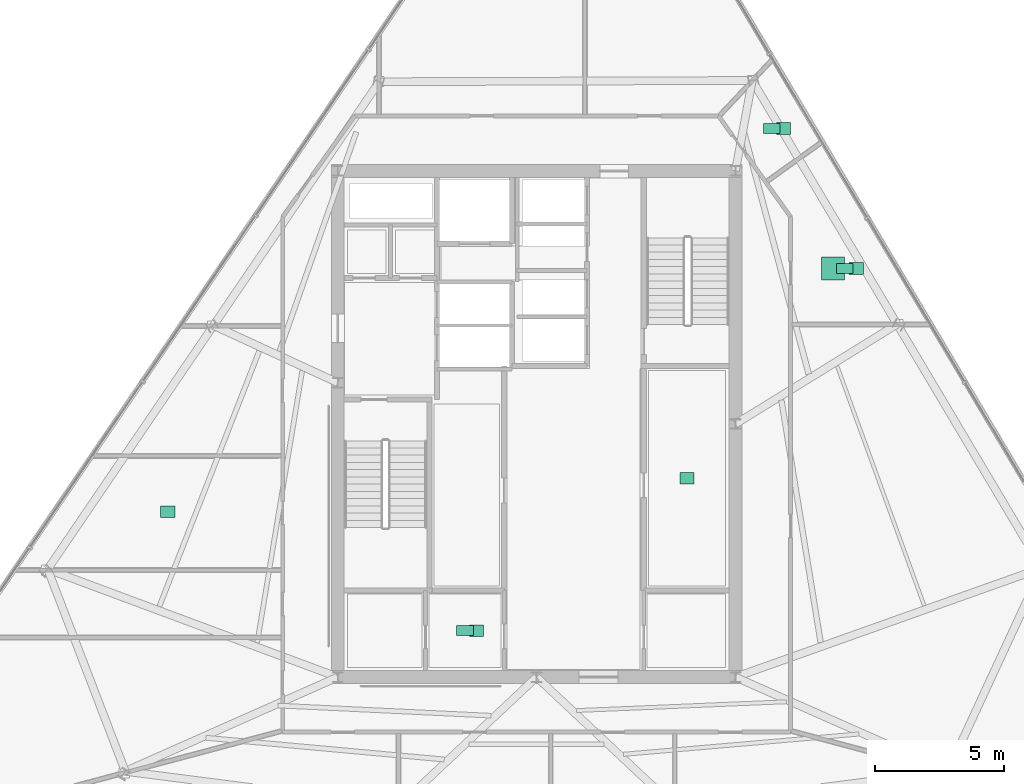
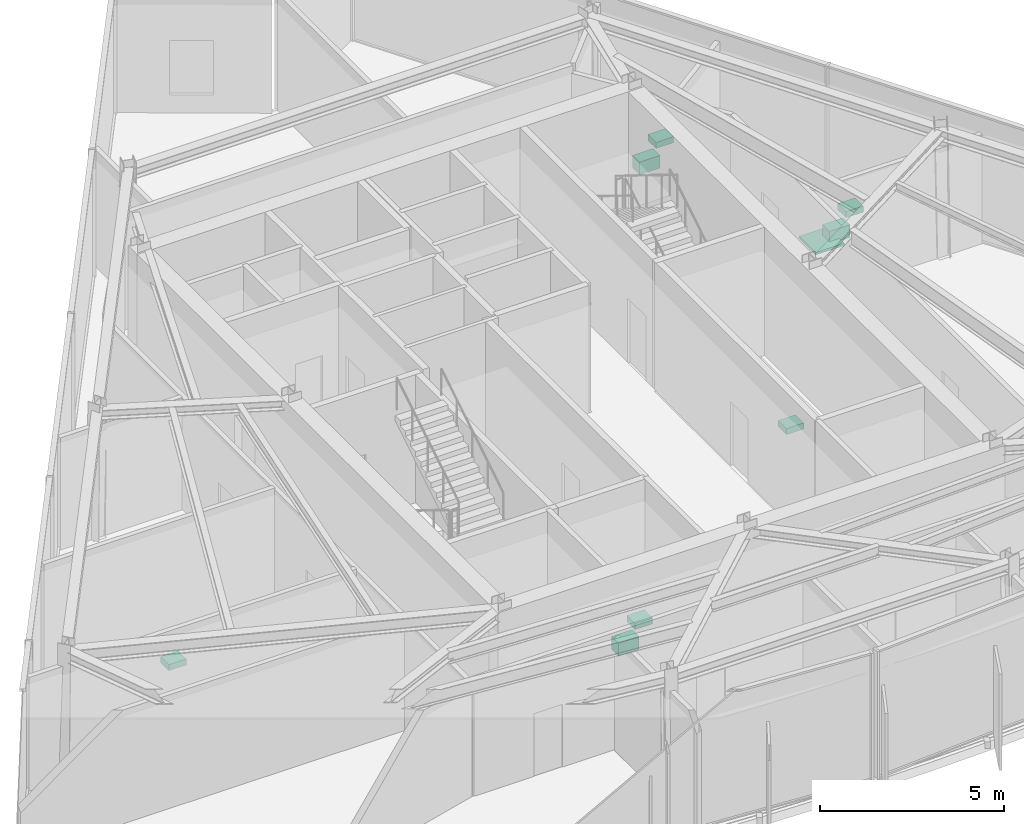
# One storey, part 12 of 12: 9 sanitary terminals.
"""IFC4 building model written with IfcOpenShell, lengths in metres."""

from ifc_helpers import new_model, si_unit, direction, frame, origin, origin_2d, place, context, subcontext, project, spatial, rectangle, extrude, material, type_object, element, save


model = new_model("IFC4")

# Units and contexts
model_context = context("Model", 3, precision=1e-05, world=origin(), true_north=direction((0.0, 1.0)))
body_context = subcontext(model_context, "Body", "Model", "MODEL_VIEW")
ifc_project = project(units=[si_unit("LENGTHUNIT", "METRE"), si_unit("AREAUNIT", "SQUARE_METRE"), si_unit("VOLUMEUNIT", "CUBIC_METRE"), si_unit("PLANEANGLEUNIT", "RADIAN"), si_unit("MASSUNIT", "GRAM", prefix="KILO")], contexts=[model_context])

# Site, building, storey
site_placement = place(None, origin())
site = spatial("IfcSite", under=ifc_project, at=site_placement, CompositionType="ELEMENT")
building_placement = place(site_placement, origin())
building = spatial("IfcBuilding", under=site, at=building_placement, Name="Savorim Split Tower", CompositionType="ELEMENT")
storey_placement = place(building_placement, frame((0.0, 0.0, 246.300048828125)))
storey = spatial("IfcBuildingStorey", under=building, at=storey_placement, Name="L65", CompositionType="ELEMENT", Elevation=246.300048828125)

# Sanitary terminals
ifc_material = material(Name="Vitreous China Sanitaryware")
sanitary_terminal_type_1 = type_object("IfcSanitaryTerminalType", Name="SAN-SHW-900", PredefinedType="SHOWER", material=ifc_material)
sanitary_terminal_placement = place(storey_placement, frame((11.47998046875, 6.42138671875, 0.0), z_axis=(0.0, 0.0, 1.0), x_axis=(1.0, 0.0, 0.0)))
element("IfcSanitaryTerminal", 1, at=sanitary_terminal_placement, inside=storey, type_object=sanitary_terminal_type_1, Name="L65 Shared Bathroom Shower", PredefinedType="SHOWER", context=body_context, shape_type="SweptSolid", body=[
    extrude(rectangle(XDim=0.89990234375, YDim=0.89990234375, at=origin_2d()), origin(), (0.0, 0.0, 1.0), 0.080078125),
])
sanitary_terminal_type_2 = type_object("IfcSanitaryTerminalType", Name="SAN-WC-PAN", PredefinedType="TOILETPAN", material=ifc_material)
for number, where, z_axis, x_axis, name in (
    (2, (-2.77490234375, -7.60009765625, 0.0), (0.0, 0.0, 1.0), (1.0, 0.0, 0.0), "L65 Accessible WC WC Pan"),
    (3, (11.93017578125, 6.42138671875, 0.0), (0.0, 0.0, 1.0), (1.0, 0.0, 0.0), "L65 Shared Bathroom WC Pan"),
    (4, (9.106689453125, 11.839599609375, 0.0), (0.0, 0.0, 1.0), (1.0, 0.0, 0.0), "L65 Accessible WC WC Pan"),
):
    element("IfcSanitaryTerminal", number, at=place(storey_placement, frame(where, z_axis=z_axis, x_axis=x_axis)), inside=storey, type_object=sanitary_terminal_type_2, Name=name, PredefinedType="TOILETPAN", context=body_context, shape_type="SweptSolid", body=[
        extrude(rectangle(XDim=0.64990234375, YDim=0.3798828125, at=origin_2d()), origin(), (0.0, 0.0, 1.0), 0.419921875),
    ])
sanitary_terminal_type_3 = type_object("IfcSanitaryTerminalType", Name="SAN-WHB-550", PredefinedType="WASHHANDBASIN", material=ifc_material)
for number, where, z_axis, x_axis, name in (
    (5, (5.824951171875, -1.699951171875, 0.75), (0.0, 0.0, 1.0), (1.0, 0.0, 0.0), "L65 Community Laundry Room Utility Sink"),
    (6, (-2.324951171875, -7.60009765625, 0.72021484375), (0.0, 0.0, 1.0), (1.0, 0.0, 0.0), "L65 Accessible WC Washhand Basin"),
    (7, (-14.284423828125, -2.995849609375, 0.75), (0.0, 0.0, 1.0), (1.0, 0.0, 0.0), "L65 Communal Kitchen Utility Sink"),
    (8, (12.380126953125, 6.42138671875, 0.72021484375), (0.0, 0.0, 1.0), (1.0, 0.0, 0.0), "L65 Shared Bathroom Washhand Basin"),
    (9, (9.556884765625, 11.839599609375, 0.72021484375), (0.0, 0.0, 1.0), (1.0, 0.0, 0.0), "L65 Accessible WC Washhand Basin"),
):
    element("IfcSanitaryTerminal", number, at=place(storey_placement, frame(where, z_axis=z_axis, x_axis=x_axis)), inside=storey, type_object=sanitary_terminal_type_3, Name=name, PredefinedType="WASHHANDBASIN", context=body_context, shape_type="SweptSolid", body=[
        extrude(rectangle(XDim=0.550048828125, YDim=0.449951171875, at=origin_2d()), origin(), (0.0, 0.0, 1.0), 0.199951171875),
    ])

save(model, "model.ifc")
